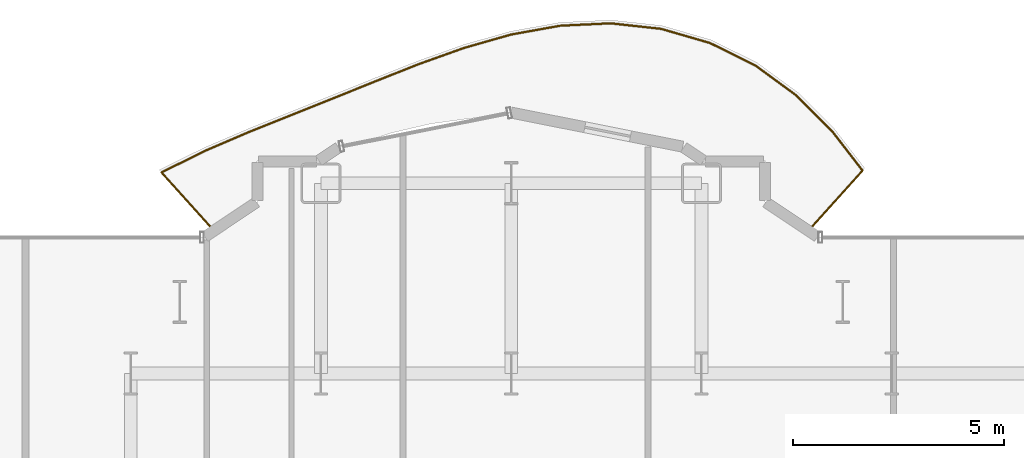
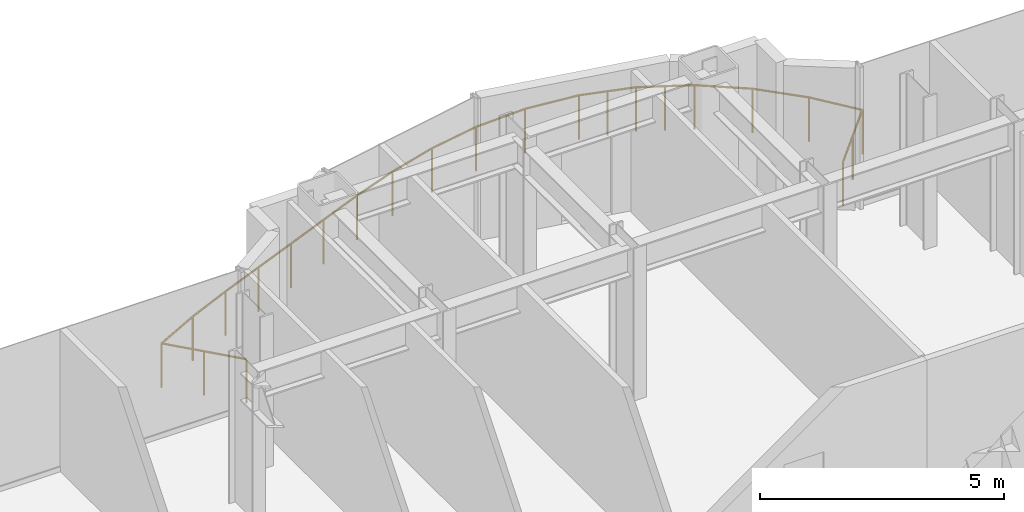
# One storey, part 29 of 29: 1 railing.
"""IFC4 building model written with IfcOpenShell, lengths in metres."""

from ifc_helpers import new_model, si_unit, direction, frame, origin, origin_2d, place, context, subcontext, project, spatial, circle, extrude, material, type_object, element, save


model = new_model("IFC4")

# Units and contexts
model_context = context("Model", 3, precision=1e-05, world=origin(), true_north=direction((0.0, 1.0)))
body_context = subcontext(model_context, "Body", "Model", "MODEL_VIEW")
ifc_project = project(units=[si_unit("LENGTHUNIT", "METRE"), si_unit("AREAUNIT", "SQUARE_METRE"), si_unit("VOLUMEUNIT", "CUBIC_METRE"), si_unit("PLANEANGLEUNIT", "RADIAN"), si_unit("MASSUNIT", "GRAM", prefix="KILO")], contexts=[model_context])

# Site, building, storey
site_placement = place(None, origin())
site = spatial("IfcSite", under=ifc_project, at=site_placement, CompositionType="ELEMENT")
building_placement = place(site_placement, origin())
building = spatial("IfcBuilding", under=site, at=building_placement, Name="Nefas-Gora Pilgrimage Tower", CompositionType="ELEMENT")
storey_placement = place(building_placement, frame((0.0, 0.0, 44.39990234375)))
storey = spatial("IfcBuildingStorey", under=building, at=storey_placement, Name="L09", CompositionType="ELEMENT", Elevation=44.39990234375)

# Railing
ifc_material = material(Name="Laminated safety glass and stainless steel", Category="steel")
railing_type = type_object("IfcRailingType", Name="RLG-BAL-1100", PredefinedType="BALUSTRADE", material=ifc_material)
railing_placement = place(storey_placement, frame((4.802490234375, 21.402587890625, 0.0)))
element("IfcRailing", 1, at=railing_placement, inside=storey, type_object=railing_type, Name="L09 Wave Balcony Balustrade N1", PredefinedType="BALUSTRADE", context=body_context, shape_type="SweptSolid", body=[
    extrude(circle(Radius=0.02392578125, at=origin_2d()), frame((0.0, 0.0, 1.09619140625), z_axis=(0.669129721026, 0.743145622634, 0.0), x_axis=(-0.743145622634, 0.669129721026, 0.0)), (0.0, 0.0, 1.0), 1.880126953125),
    extrude(circle(Radius=0.02392578125, at=origin_2d()), frame((1.258056640625, 1.397216796875, 1.09619140625), z_axis=(-0.611200063939, 0.791476141044, 0.0), x_axis=(-0.791476141044, -0.611200063939, 0.0)), (0.0, 0.0, 1.0), 1.179443359375),
    extrude(circle(Radius=0.02392578125, at=origin_2d()), frame((0.537109375, 2.330810546875, 1.09619140625), z_axis=(-0.707209030738, 0.707004516848, 0.0), x_axis=(-0.707004516848, -0.707209030738, 0.0)), (0.0, 0.0, 1.0), 1.19384765625),
    extrude(circle(Radius=0.02392578125, at=origin_2d()), frame((-0.30712890625, 3.1748046875, 1.09619140625), z_axis=(-0.807148617314, 0.590348295135, 0.0), x_axis=(-0.590348295135, -0.807148617314, 0.0)), (0.0, 0.0, 1.0), 1.19921875),
    extrude(circle(Radius=0.02392578125, at=origin_2d()), frame((-1.275146484375, 3.8828125, 1.09619140625), z_axis=(-0.896048232133, 0.443956716011, 0.0), x_axis=(-0.443956716011, -0.896048232133, 0.0)), (0.0, 0.0, 1.0), 1.200439453125),
    extrude(circle(Radius=0.02392578125, at=origin_2d()), frame((-2.350830078125, 4.415771484375, 1.09619140625), z_axis=(-0.960465578019, 0.278398766951, 0.0), x_axis=(-0.278398766951, -0.960465578019, 0.0)), (0.0, 0.0, 1.0), 1.200439453125),
    extrude(circle(Radius=0.02392578125, at=origin_2d()), frame((-3.50390625, 4.75, 1.09619140625), z_axis=(-0.994009663553, 0.109292217307, 0.0), x_axis=(-0.109292217307, -0.994009663553, 0.0)), (0.0, 0.0, 1.0), 1.199462890625),
    extrude(circle(Radius=0.02392578125, at=origin_2d()), frame((-4.6962890625, 4.881103515625, 1.09619140625), z_axis=(-0.998903921138, -0.046807652535, 0.0), x_axis=(0.046807652535, -0.998903921138, 0.0)), (0.0, 0.0, 1.0), 1.1943359375),
    extrude(circle(Radius=0.02392578125, at=origin_2d()), frame((-5.889404296875, 4.8251953125, 1.09619140625), z_axis=(-0.984273970402, -0.176648665973, 0.0), x_axis=(0.176648665973, -0.984273970402, 0.0)), (0.0, 0.0, 1.0), 1.181640625),
    extrude(circle(Radius=0.02392578125, at=origin_2d()), frame((-7.052490234375, 4.616455078125, 1.09619140625), z_axis=(-0.961722400744, -0.274025589875, 0.0), x_axis=(0.274025589875, -0.961722400744, 0.0)), (0.0, 0.0, 1.0), 1.1591796875),
    extrude(circle(Radius=0.02392578125, at=origin_2d()), frame((-8.167236328125, 4.298828125, 1.09619140625), z_axis=(-0.941629347278, -0.336651410726, 0.0), x_axis=(0.336651410726, -0.941629347278, 0.0)), (0.0, 0.0, 1.0), 1.129150390625),
    extrude(circle(Radius=0.02392578125, at=origin_2d()), frame((-9.23046875, 3.918701171875, 1.09619140625), z_axis=(-0.929909498538, -0.367788423592, 0.0), x_axis=(0.367788423592, -0.929909498538, 0.0)), (0.0, 0.0, 1.0), 1.099365234375),
    extrude(circle(Radius=0.02392578125, at=origin_2d()), frame((-10.252685546875, 3.514404296875, 1.09619140625), z_axis=(-0.927160236692, -0.374665044403, 0.0), x_axis=(0.374665044403, -0.927160236692, 0.0)), (0.0, 0.0, 1.0), 1.0791015625),
    extrude(circle(Radius=0.02392578125, at=origin_2d()), frame((-11.253173828125, 3.110107421875, 1.09619140625), z_axis=(-0.928883068163, -0.370373116844, 0.0), x_axis=(0.370373116844, -0.928883068163, 0.0)), (0.0, 0.0, 1.0), 1.07568359375),
    extrude(circle(Radius=0.02392578125, at=origin_2d()), frame((-12.25244140625, 2.711669921875, 1.09619140625), z_axis=(-0.928183190328, -0.372123588601, 0.0), x_axis=(0.372123588601, -0.928183190328, 0.0)), (0.0, 0.0, 1.0), 1.091064453125),
    extrude(circle(Radius=0.02392578125, at=origin_2d()), frame((-13.26513671875, 2.3056640625, 1.09619140625), z_axis=(-0.919111174096, -0.393998286356, 0.0), x_axis=(0.393998286356, -0.919111174096, 0.0)), (0.0, 0.0, 1.0), 1.119140625),
    extrude(circle(Radius=0.02392578125, at=origin_2d()), frame((-14.293701171875, 1.86474609375, 1.09619140625), z_axis=(-0.895992473093, -0.444069238026, 0.0), x_axis=(0.444069238026, -0.895992473093, 0.0)), (0.0, 0.0, 1.0), 1.150146484375),
    extrude(circle(Radius=0.02392578125, at=origin_2d()), frame((-15.32421875, 1.35400390625, 1.09619140625), z_axis=(0.669157184217, -0.743120893806, 0.0), x_axis=(0.743120893806, 0.669157184217, 0.0)), (0.0, 0.0, 1.0), 1.822021484375),
    extrude(circle(Radius=0.02099609375, at=origin_2d()), origin(), (0.0, 0.0, 1.0), 1.072021484375),
    extrude(circle(Radius=0.02099609375, at=origin_2d()), frame((0.62890625, 0.69873046875, 0.0)), (0.0, 0.0, 1.0), 1.072021484375),
    extrude(circle(Radius=0.02099609375, at=origin_2d()), frame((1.258056640625, 1.397216796875, 0.0)), (0.0, 0.0, 1.0), 1.072021484375),
    extrude(circle(Radius=0.02099609375, at=origin_2d()), frame((0.537109375, 2.330810546875, 0.0)), (0.0, 0.0, 1.0), 1.072021484375),
    extrude(circle(Radius=0.02099609375, at=origin_2d()), frame((-0.30712890625, 3.1748046875, 0.0)), (0.0, 0.0, 1.0), 1.072021484375),
    extrude(circle(Radius=0.02099609375, at=origin_2d()), frame((-1.275146484375, 3.8828125, 0.0)), (0.0, 0.0, 1.0), 1.072021484375),
    extrude(circle(Radius=0.02099609375, at=origin_2d()), frame((-1.81298828125, 4.1494140625, 0.0)), (0.0, 0.0, 1.0), 1.072021484375),
    extrude(circle(Radius=0.02099609375, at=origin_2d()), frame((-2.350830078125, 4.415771484375, 0.0)), (0.0, 0.0, 1.0), 1.072021484375),
    extrude(circle(Radius=0.02099609375, at=origin_2d()), frame((-2.92724609375, 4.5830078125, 0.0)), (0.0, 0.0, 1.0), 1.072021484375),
    extrude(circle(Radius=0.02099609375, at=origin_2d()), frame((-3.50390625, 4.75, 0.0)), (0.0, 0.0, 1.0), 1.072021484375),
    extrude(circle(Radius=0.02099609375, at=origin_2d()), frame((-4.6962890625, 4.881103515625, 0.0)), (0.0, 0.0, 1.0), 1.072021484375),
    extrude(circle(Radius=0.02099609375, at=origin_2d()), frame((-5.889404296875, 4.8251953125, 0.0)), (0.0, 0.0, 1.0), 1.072021484375),
    extrude(circle(Radius=0.02099609375, at=origin_2d()), frame((-7.052490234375, 4.616455078125, 0.0)), (0.0, 0.0, 1.0), 1.072021484375),
    extrude(circle(Radius=0.02099609375, at=origin_2d()), frame((-8.167236328125, 4.298828125, 0.0)), (0.0, 0.0, 1.0), 1.072021484375),
    extrude(circle(Radius=0.02099609375, at=origin_2d()), frame((-9.23046875, 3.918701171875, 0.0)), (0.0, 0.0, 1.0), 1.072021484375),
    extrude(circle(Radius=0.02099609375, at=origin_2d()), frame((-10.252685546875, 3.514404296875, 0.0)), (0.0, 0.0, 1.0), 1.072021484375),
    extrude(circle(Radius=0.02099609375, at=origin_2d()), frame((-11.253173828125, 3.110107421875, 0.0)), (0.0, 0.0, 1.0), 1.072021484375),
    extrude(circle(Radius=0.02099609375, at=origin_2d()), frame((-12.25244140625, 2.711669921875, 0.0)), (0.0, 0.0, 1.0), 1.072021484375),
    extrude(circle(Radius=0.02099609375, at=origin_2d()), frame((-13.26513671875, 2.3056640625, 0.0)), (0.0, 0.0, 1.0), 1.072021484375),
    extrude(circle(Radius=0.02099609375, at=origin_2d()), frame((-14.293701171875, 1.86474609375, 0.0)), (0.0, 0.0, 1.0), 1.072021484375),
    extrude(circle(Radius=0.02099609375, at=origin_2d()), frame((-15.32421875, 1.35400390625, 0.0)), (0.0, 0.0, 1.0), 1.072021484375),
    extrude(circle(Radius=0.02099609375, at=origin_2d()), frame((-14.714599609375, 0.677001953125, 0.0)), (0.0, 0.0, 1.0), 1.072021484375),
    extrude(circle(Radius=0.02099609375, at=origin_2d()), frame((-14.10498046875, 0.0, 0.0)), (0.0, 0.0, 1.0), 1.072021484375),
])

save(model, "model.ifc")
